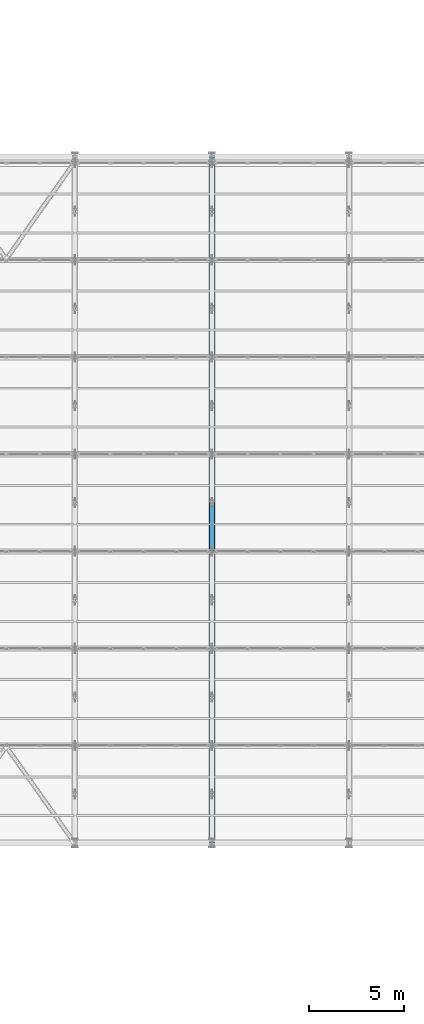
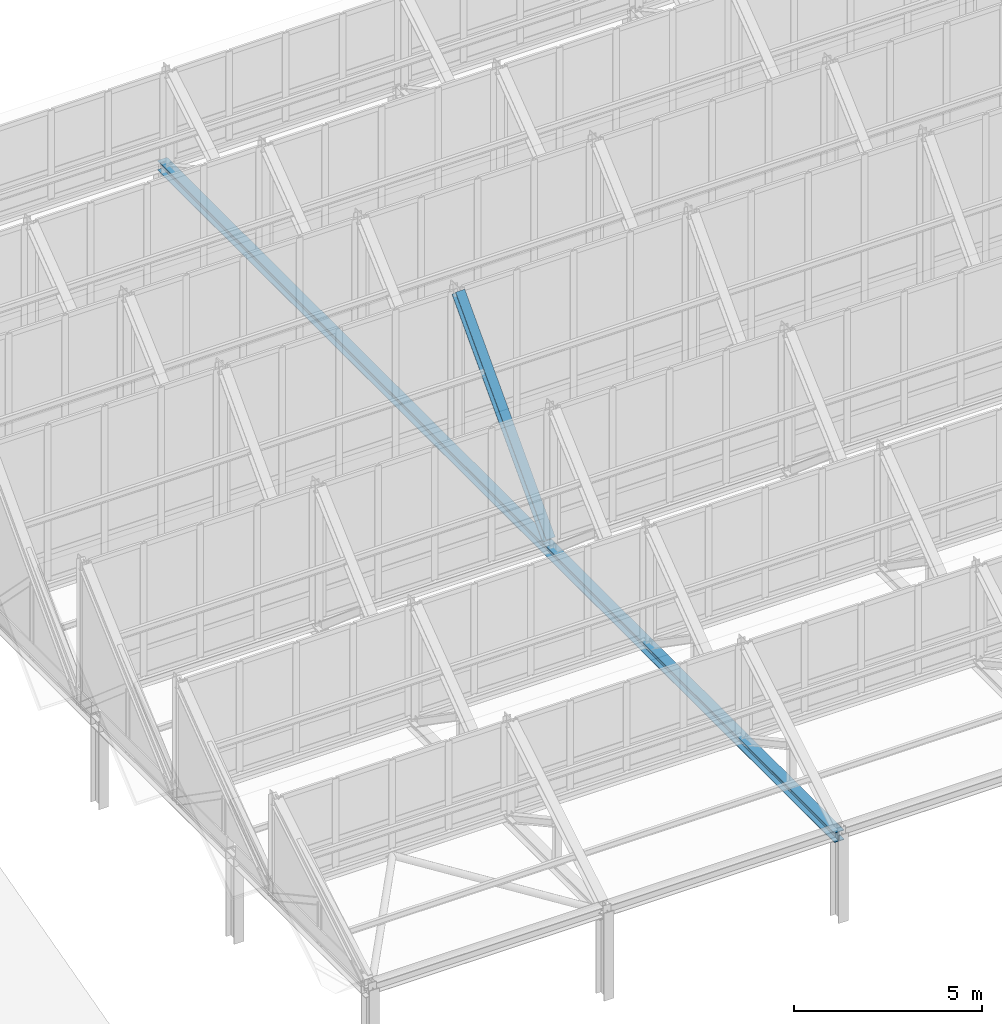
# One storey, part 47 of 157: 2 members.
"""IFC4 building model written with IfcOpenShell, lengths in metres."""

import ifcopenshell
import ifcopenshell.guid

model = None  # the IFC model being written
_history = None  # IfcOwnerHistory: only IFC2X3 demands one
_inside = {}  # id of a spatial element -> (the spatial element, [elements in it])
_under = {}  # id of a project, library or spatial element -> (it, [spatial elements below it])
_declared = {}  # id of a project -> (the project, [libraries it declares])
_typed = {}  # id of a type object -> (the type object, [elements of that type])
_made_of = {}  # id of a material, layer set ... -> (it, [elements and type objects made of it])


def new_model(schema):
    """Start an empty IFC model of exactly this schema.

    Asked for "IFC4X3", IfcOpenShell would pick the latest addendum, in which some entities
    have other attributes; the version numbers below select the first issue.
    IFC2X3 requires an IfcOwnerHistory on every rooted entity: one is made here for all.
    """
    global model, _history
    if schema == "IFC4X3":
        model = ifcopenshell.file(schema_version=(4, 3, 0, 0))
    else:
        model = ifcopenshell.file(schema=schema)
    _inside.clear()
    _under.clear()
    _declared.clear()
    _typed.clear()
    _made_of.clear()
    _history = None
    if model.schema == "IFC2X3":
        org = make("IfcOrganization", Name="unknown")
        user = make(
            "IfcPersonAndOrganization",
            ThePerson=make("IfcPerson", FamilyName="unknown"),
            TheOrganization=org,
        )
        app = make(
            "IfcApplication",
            ApplicationDeveloper=org,
            Version="unknown",
            ApplicationFullName="unknown",
            ApplicationIdentifier="unknown",
        )
        _history = make(
            "IfcOwnerHistory",
            OwningUser=user,
            OwningApplication=app,
            ChangeAction="ADDED",
            CreationDate=0,
        )
    return model


def make(cls, **values):
    """One entity of the class cls with the attributes given. An attribute that is None is left unset."""
    return model.create_entity(
        cls, **{name: value for name, value in values.items() if value is not None}
    )


def rooted(cls, **values):
    """An entity with a GlobalId (a new one), such as an element, a storey or a relation."""
    return make(cls, GlobalId=ifcopenshell.guid.new(), OwnerHistory=_history, **values)


def si_unit(unit_type, name, prefix=None):
    """IfcSIUnit, for example si_unit("LENGTHUNIT", "METRE", prefix="MILLI")."""
    return make("IfcSIUnit", UnitType=unit_type, Prefix=prefix, Name=name)


def assignment(units):
    """IfcUnitAssignment: the units of a project."""
    return None if units is None else make("IfcUnitAssignment", Units=units)


def point(xyz):
    """IfcCartesianPoint."""
    return None if xyz is None else make("IfcCartesianPoint", Coordinates=xyz)


def direction(xyz):
    """IfcDirection."""
    return None if xyz is None else make("IfcDirection", DirectionRatios=xyz)


def frame(location, z_axis=None, x_axis=None):
    """IfcAxis2Placement3D, a coordinate frame: its origin and axes. An axis left out is left unset."""
    return make(
        "IfcAxis2Placement3D",
        Location=point(location),
        Axis=direction(z_axis),
        RefDirection=direction(x_axis),
    )


def frame_2d(location, x_axis=None):
    """IfcAxis2Placement2D, a coordinate frame in the plane: its origin and x axis."""
    return make(
        "IfcAxis2Placement2D", Location=point(location), RefDirection=direction(x_axis)
    )


def origin():
    """The frame at (0, 0, 0) with its axes left unset."""
    return frame((0.0, 0.0, 0.0))


def origin_2d():
    """The frame at (0, 0) in the plane with its x axis left unset."""
    return frame_2d((0.0, 0.0))


def place(relative_to, where):
    """IfcLocalPlacement: puts the frame where relative to a parent placement (None: the world)."""
    return make(
        "IfcLocalPlacement", PlacementRelTo=relative_to, RelativePlacement=where
    )


def context(
    kind, dimensions, precision=None, world=None, true_north=None, identifier=None
):
    """IfcGeometricRepresentationContext, for example the 3D "Model" context."""
    return make(
        "IfcGeometricRepresentationContext",
        ContextIdentifier=identifier,
        ContextType=kind,
        CoordinateSpaceDimension=dimensions,
        Precision=precision,
        WorldCoordinateSystem=world,
        TrueNorth=true_north,
    )


def subcontext(parent, identifier, kind, view, scale=None):
    """IfcGeometricRepresentationSubContext, for example "Body" below "Model"."""
    return make(
        "IfcGeometricRepresentationSubContext",
        ContextIdentifier=identifier,
        ContextType=kind,
        ParentContext=parent,
        TargetScale=scale,
        TargetView=view,
    )


def project(units=None, contexts=None):
    """IfcProject with its units and contexts."""
    return rooted(
        "IfcProject",
        Name="project",
        RepresentationContexts=contexts,
        UnitsInContext=assignment(units),
    )


def spatial(cls, under=None, at=None, **own):
    """A site, building, storey or space (cls), placed at a placement, below another one or the project."""
    s = rooted(cls, ObjectPlacement=at, **own)
    if under is not None:
        _under.setdefault(under.id(), (under, []))[1].append(s)
    return s


def profile(cls, at=None, kind="AREA", **sizes):
    """A parametric profile (cls). Its sizes go by their IFC names, for example OverallWidth=200.0."""
    return make(cls, ProfileType=kind, Position=at, **sizes)


def i_section(**sizes):
    """IfcIShapeProfileDef."""
    return profile("IfcIShapeProfileDef", **sizes)


def extrude(swept, where, along, depth):
    """IfcExtrudedAreaSolid: the profile swept, set in the frame where, extruded along a direction by depth."""
    return make(
        "IfcExtrudedAreaSolid",
        SweptArea=swept,
        Position=where,
        ExtrudedDirection=direction(along),
        Depth=depth,
    )


def shape(context_of_items, identifier, shape_type, items):
    """IfcShapeRepresentation: the items that make up one representation, for example the "Body"."""
    return make(
        "IfcShapeRepresentation",
        ContextOfItems=context_of_items,
        RepresentationIdentifier=identifier,
        RepresentationType=shape_type,
        Items=items,
    )


def material(Name=None, Category=None):
    """IfcMaterial."""
    return make("IfcMaterial", Name=Name, Category=Category)


def material_profile(
    of_material, cross_section, Name=None, Category=None, Priority=None
):
    """IfcMaterialProfile: a cross section and its material."""
    return make(
        "IfcMaterialProfile",
        Name=Name,
        Material=of_material,
        Profile=cross_section,
        Priority=Priority,
        Category=Category,
    )


def profile_set(profiles, Name=None, composite=None):
    """IfcMaterialProfileSet."""
    return make(
        "IfcMaterialProfileSet",
        Name=Name,
        MaterialProfiles=profiles,
        CompositeProfile=composite,
    )


def made_of(thing, what):
    """Note that an element or type object is made of a material, layer set ...; save() writes the relation."""
    if what is not None:
        _made_of.setdefault(what.id(), (what, []))[1].append(thing)
    return thing


def type_object(cls, material=None, **own):
    """A type object (cls), such as IfcWallType, which elements share."""
    return made_of(rooted(cls, **own), material)


def element(
    cls,
    number,
    at=None,
    inside=None,
    cuts=None,
    type_object=None,
    material=None,
    context=None,
    identifier="Body",
    shape_type=None,
    held_by="IfcProductDefinitionShape",
    body=None,
    shapes=None,
    **own,
):
    """One element of the class cls, such as IfcWall. Its Tag is "e" and its number.

    at: its placement. inside: the storey or other place that contains it. cuts: it is an
    opening in that element (IfcRelVoidsElement). A single representation is given by context,
    identifier, shape_type and body (its items); several are given by shapes. held_by: the class
    of the entity that holds the representations. save() writes the other relations.
    """
    e = rooted(cls, Tag="e%d" % number, ObjectPlacement=at, **own)
    if body is not None:
        shapes = [shape(context, identifier, shape_type, body)]
    if shapes is not None:
        e.Representation = make(held_by, Representations=shapes)
    if inside is not None:
        _inside.setdefault(inside.id(), (inside, []))[1].append(e)
    if cuts is not None:
        rooted(
            "IfcRelVoidsElement", RelatingBuildingElement=cuts, RelatedOpeningElement=e
        )
    if type_object is not None:
        _typed.setdefault(type_object.id(), (type_object, []))[1].append(e)
    return made_of(e, material)


def aggregate(whole, parts):
    """IfcRelAggregates: a whole, such as a stair, and the parts it consists of."""
    return rooted("IfcRelAggregates", RelatingObject=whole, RelatedObjects=parts)


def save(model, path):
    """Write the relations noted so far, then the file.

    IfcRelAggregates (storeys below a building ...), IfcRelContainedInSpatialStructure (elements
    in a storey), IfcRelDefinesByType, IfcRelAssociatesMaterial and IfcRelDeclares: one each for
    every whole, place, type object, material and project.
    """
    for whole, parts in _under.values():
        aggregate(whole, parts)
    for where, things in _inside.values():
        rooted(
            "IfcRelContainedInSpatialStructure",
            RelatedElements=things,
            RelatingStructure=where,
        )
    for kind, things in _typed.values():
        rooted("IfcRelDefinesByType", RelatedObjects=things, RelatingType=kind)
    for what, things in _made_of.values():
        rooted("IfcRelAssociatesMaterial", RelatedObjects=things, RelatingMaterial=what)
    for by, libraries in _declared.values():
        rooted("IfcRelDeclares", RelatingContext=by, RelatedDefinitions=libraries)
    model.write(path)


model = new_model("IFC4")

# Units and contexts
model_context = context("Model", 3, precision=1e-05, world=origin(), true_north=direction((0.0, 1.0)))
body_context = subcontext(model_context, "Body", "Model", "MODEL_VIEW")
ifc_project = project(units=[si_unit("LENGTHUNIT", "METRE"), si_unit("AREAUNIT", "SQUARE_METRE"), si_unit("VOLUMEUNIT", "CUBIC_METRE"), si_unit("PLANEANGLEUNIT", "RADIAN"), si_unit("MASSUNIT", "GRAM", prefix="KILO")], contexts=[model_context])

# Site, building, storey
site_placement = place(None, origin())
site = spatial("IfcSite", under=ifc_project, at=site_placement, CompositionType="ELEMENT")
building_placement = place(site_placement, origin())
building = spatial("IfcBuilding", under=site, at=building_placement, Name="Suanplinth Sawtooth Commons", CompositionType="ELEMENT")
storey_placement = place(building_placement, frame((0.0, 0.0, 9.0)))
storey = spatial("IfcBuildingStorey", under=building, at=storey_placement, Name="L02", CompositionType="ELEMENT", Elevation=9.0)

# Members
ifc_material = material(Name="Steel S355JR", Category="steel")
ifc_material_profile_1 = material_profile(ifc_material, i_section(OverallWidth=0.300048828125, OverallDepth=0.320068359375, WebThickness=0.011474609375, FlangeThickness=0.0205078125, at=origin_2d()), Name="HEB 320")
ifc_profile_set_1 = profile_set([ifc_material_profile_1], Name="Steel S355JR")
member_type_1 = type_object("IfcMemberType", Name="M-01", PredefinedType="CHORD", material=ifc_profile_set_1)
member_1_placement = place(storey_placement, frame((79.199951171875, 50.39990234375, 2.64990234375), z_axis=(0.0, 1.0, 0.0), x_axis=(-1.0, 0.0, 0.0)))
element("IfcMember", 1, at=member_1_placement, inside=storey, type_object=member_type_1, Name="Sawtooth Truss T3 Bottom Chord", PredefinedType="CHORD", context=body_context, shape_type="SweptSolid", body=[
    extrude(i_section(OverallWidth=0.300048828125, OverallDepth=0.320068359375, WebThickness=0.011474609375, FlangeThickness=0.0205078125, at=origin_2d()), origin(), (0.0, 0.0, 1.0), 36.0),
])
ifc_material_profile_2 = material_profile(ifc_material, i_section(OverallWidth=0.280029296875, OverallDepth=0.280029296875, WebThickness=0.010498046875, FlangeThickness=0.01806640625, at=origin_2d()), Name="HEB 280")
ifc_profile_set_2 = profile_set([ifc_material_profile_2], Name="Steel S355JR")
member_type_2 = type_object("IfcMemberType", Name="M-02", PredefinedType="CHORD", material=ifc_profile_set_2)
member_2_placement = place(storey_placement, frame((79.199951171875, 65.840087890625, 2.919921875), z_axis=(0.0, 0.685431841642, 0.728136793785), x_axis=(-1.0, 0.0, 0.0)))
element("IfcMember", 2, at=member_2_placement, inside=storey, type_object=member_type_2, Name="Sawtooth Truss T3 Top Chord 4", PredefinedType="CHORD", context=body_context, shape_type="SweptSolid", body=[
    extrude(i_section(OverallWidth=0.280029296875, OverallDepth=0.280029296875, WebThickness=0.010498046875, FlangeThickness=0.01806640625, at=origin_2d()), origin(), (0.0, 0.0, 1.0), 7.03173828125),
])

save(model, "model.ifc")
